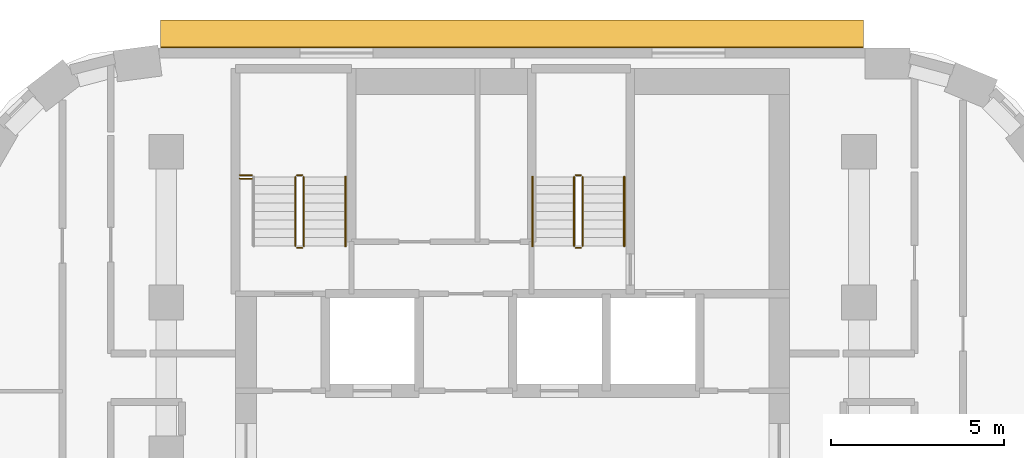
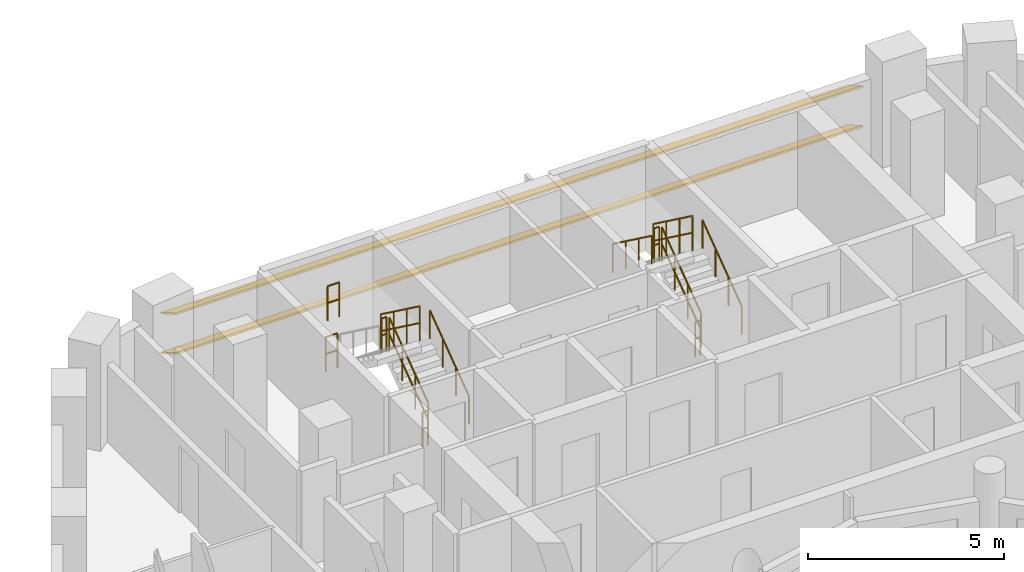
# One storey, part 13 of 13: 13 railings, 2 shading devices.
"""IFC4 building model written with IfcOpenShell, lengths in metres."""

from ifc_helpers import new_model, si_unit, direction, frame, origin, origin_2d, place, context, subcontext, project, spatial, rectangle, circle, extrude, material, material_profile, profile_set, type_object, element, save


model = new_model("IFC4")

# Units and contexts
model_context = context("Model", 3, precision=1e-05, world=origin(), true_north=direction((0.0, 1.0)))
body_context = subcontext(model_context, "Body", "Model", "MODEL_VIEW")
ifc_project = project(units=[si_unit("LENGTHUNIT", "METRE"), si_unit("AREAUNIT", "SQUARE_METRE"), si_unit("VOLUMEUNIT", "CUBIC_METRE"), si_unit("PLANEANGLEUNIT", "RADIAN"), si_unit("MASSUNIT", "GRAM", prefix="KILO")], contexts=[model_context])

# Site, building, storey
site_placement = place(None, origin())
site = spatial("IfcSite", under=ifc_project, at=site_placement, CompositionType="ELEMENT")
building_placement = place(site_placement, origin())
building = spatial("IfcBuilding", under=site, at=building_placement, Name="Nakaniwa Court", CompositionType="ELEMENT")
storey_placement = place(building_placement, frame((0.0, 0.0, 153.60009765625)))
storey = spatial("IfcBuildingStorey", under=building, at=storey_placement, Name="L40", CompositionType="ELEMENT", Elevation=153.60009765625)

# Shading devices
ifc_material_1 = material(Name="Perforated charcoal ceramic louvre blade")
ifc_material_profile = material_profile(ifc_material_1, rectangle(XDim=0.89990234375, YDim=0.050048828125, at=origin_2d()), Name="Perforated ceramic louvre blade")
ifc_profile_set = profile_set([ifc_material_profile], Name="Perforated charcoal ceramic louvre blade")
shading_device_type = type_object("IfcShadingDeviceType", Name="Perforated ceramic louvre blade", PredefinedType="JALOUSIE", material=ifc_profile_set)
for number, where, z_axis, x_axis, name in (
    (1, (90.128662109375, 104.402099609375, 0.5498046875), (-1.0, 0.0, 0.0), (0.0, -0.866025403784, 0.5), "L40 perforated ceramic louvre blade w08 1"),
    (2, (90.128662109375, 104.402099609375, 1.793212890625), (-1.0, 0.0, 0.0), (0.0, -0.866025403784, 0.5), "L40 perforated ceramic louvre blade w08 2"),
):
    element("IfcShadingDevice", number, at=place(storey_placement, frame(where, z_axis=z_axis, x_axis=x_axis)), inside=storey, type_object=shading_device_type, Name=name, PredefinedType="JALOUSIE", context=body_context, shape_type="SweptSolid", body=[
        extrude(rectangle(XDim=0.89990234375, YDim=0.050048828125, at=origin_2d()), origin(), (0.0, 0.0, 1.0), 20.291259765625),
    ])

# Railings
ifc_material_2 = material(Name="Black powder coated steel guard", Category="steel")
railing_type_1 = type_object("IfcRailingType", Name="Stair guard 1100", PredefinedType="GUARDRAIL", material=ifc_material_2)
railing_1_placement = place(storey_placement, frame((73.97509765625, 98.27490234375, 0.183349609375)))
element("IfcRailing", 3, at=railing_1_placement, inside=storey, type_object=railing_type_1, Name="L40 ST1 stair guard 1", PredefinedType="GUARDRAIL", context=body_context, shape_type="SweptSolid", body=[
    extrude(circle(Radius=0.02392578125, at=origin_2d()), frame((0.0, 0.0, 1.076171875), z_axis=(0.0, 0.806426902644, 0.591333789573), x_axis=(-1.0, 0.0, 0.0)), (0.0, 0.0, 1.0), 2.47998046875),
    extrude(circle(Radius=0.02392578125, at=origin_2d()), frame((0.0, 0.0, 0.550048828125), z_axis=(0.0, 0.806426902644, 0.591333789573), x_axis=(-1.0, 0.0, 0.0)), (0.0, 0.0, 1.0), 2.47998046875),
    extrude(circle(Radius=0.02099609375, at=origin_2d()), origin(), (0.0, 0.0, 1.0), 1.052001953125),
    extrude(circle(Radius=0.02099609375, at=origin_2d()), frame((0.0, 0.666748046875, 0.48876953125)), (0.0, 0.0, 1.0), 1.052001953125),
    extrude(circle(Radius=0.02099609375, at=origin_2d()), frame((0.0, 1.333251953125, 0.977783203125)), (0.0, 0.0, 1.0), 1.052001953125),
    extrude(circle(Radius=0.02099609375, at=origin_2d()), frame((0.0, 2.0, 1.466552734375)), (0.0, 0.0, 1.0), 1.052001953125),
])
railing_2_placement = place(storey_placement, frame((73.925048828125, 100.324951171875, 1.64990234375)))
element("IfcRailing", 4, at=railing_2_placement, inside=storey, type_object=railing_type_1, Name="L40 ST1 stair guard 2", PredefinedType="GUARDRAIL", context=body_context, shape_type="SweptSolid", body=[
    extrude(circle(Radius=0.02392578125, at=origin_2d()), frame((0.0, 0.0, 1.076171875), z_axis=(-1.0, 0.0, 0.0), x_axis=(0.0, -1.0, 0.0)), (0.0, 0.0, 1.0), 0.150146484375),
    extrude(circle(Radius=0.02392578125, at=origin_2d()), frame((0.0, 0.0, 0.550048828125), z_axis=(-1.0, 0.0, 0.0), x_axis=(0.0, -1.0, 0.0)), (0.0, 0.0, 1.0), 0.150146484375),
    extrude(circle(Radius=0.02099609375, at=origin_2d()), origin(), (0.0, 0.0, 1.0), 1.052001953125),
    extrude(circle(Radius=0.02099609375, at=origin_2d()), frame((-0.150146484375, 0.0, 0.0)), (0.0, 0.0, 1.0), 1.052001953125),
])
railing_3_placement = place(storey_placement, frame((73.72509765625, 100.27490234375, 1.833251953125)))
element("IfcRailing", 5, at=railing_3_placement, inside=storey, type_object=railing_type_1, Name="L40 ST1 stair guard 3", PredefinedType="GUARDRAIL", context=body_context, shape_type="SweptSolid", body=[
    extrude(circle(Radius=0.02392578125, at=origin_2d()), frame((0.0, 0.0, 1.076171875), z_axis=(0.0, -0.806426902644, 0.591333789573), x_axis=(1.0, 0.0, 0.0)), (0.0, 0.0, 1.0), 2.47998046875),
    extrude(circle(Radius=0.02392578125, at=origin_2d()), frame((0.0, 0.0, 0.550048828125), z_axis=(0.0, -0.806426902644, 0.591333789573), x_axis=(1.0, 0.0, 0.0)), (0.0, 0.0, 1.0), 2.47998046875),
    extrude(circle(Radius=0.02099609375, at=origin_2d()), origin(), (0.0, 0.0, 1.0), 1.052001953125),
    extrude(circle(Radius=0.02099609375, at=origin_2d()), frame((0.0, -0.666748046875, 0.48876953125)), (0.0, 0.0, 1.0), 1.052001953125),
    extrude(circle(Radius=0.02099609375, at=origin_2d()), frame((0.0, -1.333251953125, 0.977783203125)), (0.0, 0.0, 1.0), 1.052001953125),
    extrude(circle(Radius=0.02099609375, at=origin_2d()), frame((0.0, -2.0, 1.466552734375)), (0.0, 0.0, 1.0), 1.052001953125),
])
railing_4_placement = place(storey_placement, frame((73.925048828125, 98.22509765625, 0.0)))
element("IfcRailing", 6, at=railing_4_placement, inside=storey, type_object=railing_type_1, Name="L40 ST1 stair guard 4", PredefinedType="GUARDRAIL", context=body_context, shape_type="SweptSolid", body=[
    extrude(circle(Radius=0.02392578125, at=origin_2d()), frame((0.0, 0.0, 1.076171875), z_axis=(-1.0, 0.0, 0.0), x_axis=(0.0, -1.0, 0.0)), (0.0, 0.0, 1.0), 0.150146484375),
    extrude(circle(Radius=0.02392578125, at=origin_2d()), frame((0.0, 0.0, 0.550048828125), z_axis=(-1.0, 0.0, 0.0), x_axis=(0.0, -1.0, 0.0)), (0.0, 0.0, 1.0), 0.150146484375),
    extrude(circle(Radius=0.02099609375, at=origin_2d()), origin(), (0.0, 0.0, 1.0), 1.052001953125),
    extrude(circle(Radius=0.02099609375, at=origin_2d()), frame((-0.150146484375, 0.0, 0.0)), (0.0, 0.0, 1.0), 1.052001953125),
])
for number, where, name in (
    (7, (72.125, 100.324951171875, 1.64990234375), "L40 ST1 landing side guard 1W"),
    (8, (72.125, 100.22509765625, 3.2998046875), "L40 ST1 floor edge guard 1W"),
):
    element("IfcRailing", number, at=place(storey_placement, frame(where)), inside=storey, type_object=railing_type_1, Name=name, PredefinedType="GUARDRAIL", context=body_context, shape_type="SweptSolid", body=[
        extrude(circle(Radius=0.02392578125, at=origin_2d()), frame((0.0, 0.0, 1.076171875), z_axis=(1.0, 0.0, 0.0), x_axis=(0.0, 1.0, 0.0)), (0.0, 0.0, 1.0), 0.35009765625),
        extrude(circle(Radius=0.02392578125, at=origin_2d()), frame((0.0, 0.0, 0.550048828125), z_axis=(1.0, 0.0, 0.0), x_axis=(0.0, 1.0, 0.0)), (0.0, 0.0, 1.0), 0.35009765625),
        extrude(circle(Radius=0.02099609375, at=origin_2d()), origin(), (0.0, 0.0, 1.0), 1.052001953125),
        extrude(circle(Radius=0.02099609375, at=origin_2d()), frame((0.35009765625, 0.0, 0.0)), (0.0, 0.0, 1.0), 1.052001953125),
    ])
railing_5_placement = place(storey_placement, frame((82.02490234375, 98.27490234375, 0.183349609375)))
element("IfcRailing", 9, at=railing_5_placement, inside=storey, type_object=railing_type_1, Name="L40 ST2 stair guard 1", PredefinedType="GUARDRAIL", context=body_context, shape_type="SweptSolid", body=[
    extrude(circle(Radius=0.02392578125, at=origin_2d()), frame((0.0, 0.0, 1.076171875), z_axis=(0.0, 0.806426902644, 0.591333789573), x_axis=(-1.0, 0.0, 0.0)), (0.0, 0.0, 1.0), 2.47998046875),
    extrude(circle(Radius=0.02392578125, at=origin_2d()), frame((0.0, 0.0, 0.550048828125), z_axis=(0.0, 0.806426902644, 0.591333789573), x_axis=(-1.0, 0.0, 0.0)), (0.0, 0.0, 1.0), 2.47998046875),
    extrude(circle(Radius=0.02099609375, at=origin_2d()), origin(), (0.0, 0.0, 1.0), 1.052001953125),
    extrude(circle(Radius=0.02099609375, at=origin_2d()), frame((0.0, 0.666748046875, 0.48876953125)), (0.0, 0.0, 1.0), 1.052001953125),
    extrude(circle(Radius=0.02099609375, at=origin_2d()), frame((0.0, 1.333251953125, 0.977783203125)), (0.0, 0.0, 1.0), 1.052001953125),
    extrude(circle(Radius=0.02099609375, at=origin_2d()), frame((0.0, 2.0, 1.466552734375)), (0.0, 0.0, 1.0), 1.052001953125),
])
railing_6_placement = place(storey_placement, frame((81.97509765625, 100.324951171875, 1.64990234375)))
element("IfcRailing", 10, at=railing_6_placement, inside=storey, type_object=railing_type_1, Name="L40 ST2 stair guard 2", PredefinedType="GUARDRAIL", context=body_context, shape_type="SweptSolid", body=[
    extrude(circle(Radius=0.02392578125, at=origin_2d()), frame((0.0, 0.0, 1.076171875), z_axis=(-1.0, 0.0, 0.0), x_axis=(0.0, -1.0, 0.0)), (0.0, 0.0, 1.0), 0.150146484375),
    extrude(circle(Radius=0.02392578125, at=origin_2d()), frame((0.0, 0.0, 0.550048828125), z_axis=(-1.0, 0.0, 0.0), x_axis=(0.0, -1.0, 0.0)), (0.0, 0.0, 1.0), 0.150146484375),
    extrude(circle(Radius=0.02099609375, at=origin_2d()), origin(), (0.0, 0.0, 1.0), 1.052001953125),
    extrude(circle(Radius=0.02099609375, at=origin_2d()), frame((-0.150146484375, 0.0, 0.0)), (0.0, 0.0, 1.0), 1.052001953125),
])
railing_7_placement = place(storey_placement, frame((81.77490234375, 100.27490234375, 1.833251953125)))
element("IfcRailing", 11, at=railing_7_placement, inside=storey, type_object=railing_type_1, Name="L40 ST2 stair guard 3", PredefinedType="GUARDRAIL", context=body_context, shape_type="SweptSolid", body=[
    extrude(circle(Radius=0.02392578125, at=origin_2d()), frame((0.0, 0.0, 1.076171875), z_axis=(0.0, -0.806426902644, 0.591333789573), x_axis=(1.0, 0.0, 0.0)), (0.0, 0.0, 1.0), 2.47998046875),
    extrude(circle(Radius=0.02392578125, at=origin_2d()), frame((0.0, 0.0, 0.550048828125), z_axis=(0.0, -0.806426902644, 0.591333789573), x_axis=(1.0, 0.0, 0.0)), (0.0, 0.0, 1.0), 2.47998046875),
    extrude(circle(Radius=0.02099609375, at=origin_2d()), origin(), (0.0, 0.0, 1.0), 1.052001953125),
    extrude(circle(Radius=0.02099609375, at=origin_2d()), frame((0.0, -0.666748046875, 0.48876953125)), (0.0, 0.0, 1.0), 1.052001953125),
    extrude(circle(Radius=0.02099609375, at=origin_2d()), frame((0.0, -1.333251953125, 0.977783203125)), (0.0, 0.0, 1.0), 1.052001953125),
    extrude(circle(Radius=0.02099609375, at=origin_2d()), frame((0.0, -2.0, 1.466552734375)), (0.0, 0.0, 1.0), 1.052001953125),
])
railing_8_placement = place(storey_placement, frame((81.97509765625, 98.22509765625, 0.0)))
element("IfcRailing", 12, at=railing_8_placement, inside=storey, type_object=railing_type_1, Name="L40 ST2 stair guard 4", PredefinedType="GUARDRAIL", context=body_context, shape_type="SweptSolid", body=[
    extrude(circle(Radius=0.02392578125, at=origin_2d()), frame((0.0, 0.0, 1.076171875), z_axis=(-1.0, 0.0, 0.0), x_axis=(0.0, -1.0, 0.0)), (0.0, 0.0, 1.0), 0.150146484375),
    extrude(circle(Radius=0.02392578125, at=origin_2d()), frame((0.0, 0.0, 0.550048828125), z_axis=(-1.0, 0.0, 0.0), x_axis=(0.0, -1.0, 0.0)), (0.0, 0.0, 1.0), 0.150146484375),
    extrude(circle(Radius=0.02099609375, at=origin_2d()), origin(), (0.0, 0.0, 1.0), 1.052001953125),
    extrude(circle(Radius=0.02099609375, at=origin_2d()), frame((-0.150146484375, 0.0, 0.0)), (0.0, 0.0, 1.0), 1.052001953125),
])
ifc_material_3 = material(Name="Black powder coated steel handrail", Category="steel")
railing_type_2 = type_object("IfcRailingType", Name="Stair handrail 900", PredefinedType="HANDRAIL", material=ifc_material_3)
for number, where, name in (
    (13, (75.175048828125, 98.27490234375, 0.183349609375), "L40 ST1 stair handrail 1"),
    (14, (83.22509765625, 98.27490234375, 0.183349609375), "L40 ST2 stair handrail 1"),
):
    element("IfcRailing", number, at=place(storey_placement, frame(where)), inside=storey, type_object=railing_type_2, Name=name, PredefinedType="HANDRAIL", context=body_context, shape_type="SweptSolid", body=[
        extrude(circle(Radius=0.02392578125, at=origin_2d()), frame((0.0, 0.0, 0.8759765625), z_axis=(0.0, 0.806426902644, 0.591333789573), x_axis=(-1.0, 0.0, 0.0)), (0.0, 0.0, 1.0), 2.47998046875),
        extrude(circle(Radius=0.02099609375, at=origin_2d()), origin(), (0.0, 0.0, 1.0), 0.851806640625),
        extrude(circle(Radius=0.02099609375, at=origin_2d()), frame((0.0, 0.666748046875, 0.48876953125)), (0.0, 0.0, 1.0), 0.851806640625),
        extrude(circle(Radius=0.02099609375, at=origin_2d()), frame((0.0, 1.333251953125, 0.977783203125)), (0.0, 0.0, 1.0), 0.851806640625),
        extrude(circle(Radius=0.02099609375, at=origin_2d()), frame((0.0, 2.0, 1.466552734375)), (0.0, 0.0, 1.0), 0.851806640625),
    ])
railing_9_placement = place(storey_placement, frame((80.574951171875, 100.27490234375, 1.833251953125)))
element("IfcRailing", 15, at=railing_9_placement, inside=storey, type_object=railing_type_2, Name="L40 ST2 stair handrail 2", PredefinedType="HANDRAIL", context=body_context, shape_type="SweptSolid", body=[
    extrude(circle(Radius=0.02392578125, at=origin_2d()), frame((0.0, 0.0, 0.8759765625), z_axis=(0.0, -0.806426902644, 0.591333789573), x_axis=(1.0, 0.0, 0.0)), (0.0, 0.0, 1.0), 2.47998046875),
    extrude(circle(Radius=0.02099609375, at=origin_2d()), origin(), (0.0, 0.0, 1.0), 0.851806640625),
    extrude(circle(Radius=0.02099609375, at=origin_2d()), frame((0.0, -0.666748046875, 0.48876953125)), (0.0, 0.0, 1.0), 0.851806640625),
    extrude(circle(Radius=0.02099609375, at=origin_2d()), frame((0.0, -1.333251953125, 0.977783203125)), (0.0, 0.0, 1.0), 0.851806640625),
    extrude(circle(Radius=0.02099609375, at=origin_2d()), frame((0.0, -2.0, 1.466552734375)), (0.0, 0.0, 1.0), 0.851806640625),
])

save(model, "model.ifc")
